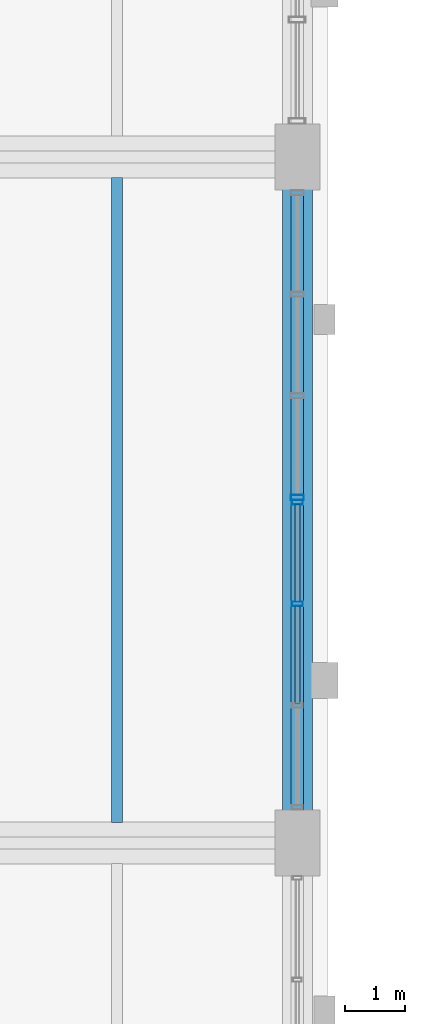
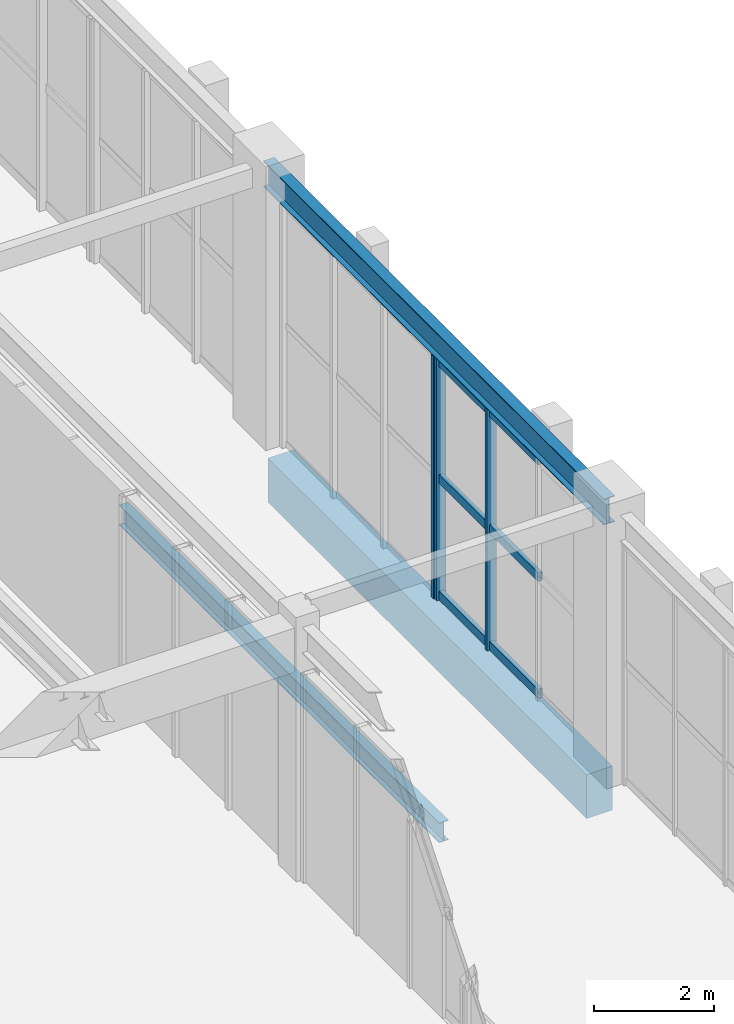
# One storey, part 36 of 113: 9 members, 3 beams, 2 elements without a shape of their own.
"""IFC4 building model written with IfcOpenShell, lengths in metres."""

from ifc_helpers import new_model, si_unit, direction, frame, origin, origin_2d, place, context, subcontext, project, spatial, rectangle, hollow_rectangle, i_section, extrude, material, layer, layer_set, material_profile, profile_set, type_object, element, aggregate, save


model = new_model("IFC4")

# Units and contexts
model_context = context("Model", 3, precision=1e-05, world=origin(), true_north=direction((0.0, 1.0)))
body_context = subcontext(model_context, "Body", "Model", "MODEL_VIEW")
ifc_project = project(units=[si_unit("LENGTHUNIT", "METRE"), si_unit("AREAUNIT", "SQUARE_METRE"), si_unit("VOLUMEUNIT", "CUBIC_METRE"), si_unit("PLANEANGLEUNIT", "RADIAN"), si_unit("MASSUNIT", "GRAM", prefix="KILO"), si_unit("POWERUNIT", "WATT"), si_unit("THERMODYNAMICTEMPERATUREUNIT", "KELVIN")], contexts=[model_context])

# Site, building, storey
site_placement = place(None, origin())
site = spatial("IfcSite", under=ifc_project, at=site_placement, CompositionType="ELEMENT")
building_placement = place(site_placement, origin())
building = spatial("IfcBuilding", under=site, at=building_placement, Name="Kelmbourne Parkland Aquatics Centre", CompositionType="ELEMENT")
storey_placement = place(building_placement, origin())
storey = spatial("IfcBuildingStorey", under=building, at=storey_placement, Name="L00", CompositionType="ELEMENT", Elevation=0.0)

# Beams
ifc_material_1 = material(Name="Concrete C40/50", Category="concrete")
ifc_material_profile_1 = material_profile(ifc_material_1, rectangle(XDim=0.5, YDim=0.89990234375, at=origin_2d()), Name="RC 500x900")
ifc_profile_set_1 = profile_set([ifc_material_profile_1], Name="Concrete C40/50")
beam_type_1 = type_object("IfcBeamType", Name="BM-G03", PredefinedType="BEAM", material=ifc_profile_set_1)
beam_1_placement = place(storey_placement, frame((46.0, 58.1298828125, -0.72998046875), z_axis=(0.0, 1.0, 0.0), x_axis=(-1.0, 0.0, 0.0)))
element("IfcBeam", 1, at=beam_1_placement, inside=storey, type_object=beam_type_1, Name="Primary girder 08-10 Grid G (L00)", PredefinedType="BEAM", context=body_context, shape_type="SweptSolid", body=[
    extrude(rectangle(XDim=0.5, YDim=0.89990234375, at=origin_2d()), origin(), (0.0, 0.0, 1.0), 10.6650390625),
])
ifc_material_2 = material(Name="Structural steel AS/NZS 3679.1 Grade 300", Category="steel")
ifc_material_profile_2 = material_profile(ifc_material_2, i_section(OverallWidth=0.177978515625, OverallDepth=0.406005859375, WebThickness=0.0078125, FlangeThickness=0.0126953125, at=origin_2d()), Name="410UB59.7")
ifc_profile_set_2 = profile_set([ifc_material_profile_2], Name="Structural steel AS/NZS 3679.1 Grade 300")
beam_type_2 = type_object("IfcBeamType", Name="BM-J01", PredefinedType="JOIST", material=ifc_profile_set_2)
beam_2_placement = place(storey_placement, frame((43.0, 58.14208984375, -0.48291015625), z_axis=(0.0, 1.0, 0.0), x_axis=(-1.0, 0.0, 0.0)))
element("IfcBeam", 2, at=beam_2_placement, inside=storey, type_object=beam_type_2, Name="Secondary floor joist F-G/08-10 #1 (L00)", PredefinedType="JOIST", context=body_context, shape_type="SweptSolid", body=[
    extrude(i_section(OverallWidth=0.177978515625, OverallDepth=0.406005859375, WebThickness=0.0078125, FlangeThickness=0.0126953125, at=origin_2d()), origin(), (0.0, 0.0, 1.0), 10.7158203125),
])
ifc_material_profile_3 = material_profile(ifc_material_2, i_section(OverallWidth=0.208984375, OverallDepth=0.532958984375, WebThickness=0.01025390625, FlangeThickness=0.015625, at=origin_2d()), Name="530UB92.4")
ifc_profile_set_3 = profile_set([ifc_material_profile_3], Name="Structural steel AS/NZS 3679.1 Grade 300")
beam_type_3 = type_object("IfcBeamType", Name="BM-SP02", PredefinedType="SPANDREL", material=ifc_profile_set_3)
beam_3_placement = place(storey_placement, frame((46.0, 57.800048828125, 5.2333984375), z_axis=(0.0, 1.0, 0.0), x_axis=(-1.0, 0.0, 0.0)))
element("IfcBeam", 3, at=beam_3_placement, inside=storey, type_object=beam_type_3, Name="Perimeter spandrel 08-10 Grid G (L01_COL)", PredefinedType="SPANDREL", context=body_context, shape_type="SweptSolid", body=[
    extrude(i_section(OverallWidth=0.208984375, OverallDepth=0.532958984375, WebThickness=0.01025390625, FlangeThickness=0.015625, at=origin_2d()), origin(), (0.0, 0.0, 1.0), 11.39990234375),
])

# Curtain wall, members
ifc_material_3 = material(Name="Thermally broken anodised aluminium framing", Category="aluminium")
ifc_layer_1 = layer(ifc_material_3, 0.179931640625)
ifc_layer_set_1 = layer_set([ifc_layer_1], Name="Thermally broken anodised aluminium framing")
curtain_wall_type_1 = type_object("IfcCurtainWallType", Name="CW-08", PredefinedType="NOTDEFINED", material=ifc_layer_set_1)
curtain_wall_1_placement = place(storey_placement, origin())
curtain_wall_1 = element("IfcCurtainWall", 4, at=curtain_wall_1_placement, inside=storey, type_object=curtain_wall_type_1, Name="Facade curtain wall CW-L00-176", PredefinedType="NOTDEFINED")
ifc_material_profile_4 = material_profile(ifc_material_3, hollow_rectangle(XDim=0.074951171875, YDim=0.179931640625, WallThickness=0.00439453125, at=origin_2d()), Name="CW-M 75x180")
ifc_profile_set_4 = profile_set([ifc_material_profile_4], Name="Thermally broken anodised aluminium framing")
member_type_1 = type_object("IfcMemberType", Name="MB-MUL-2", PredefinedType="MULLION", material=ifc_profile_set_4)
member_1_placement = place(storey_placement, frame((46.0, 61.771484375, 0.0), z_axis=(0.0, 0.0, 1.0), x_axis=(0.0, 1.0, 0.0)))
member_1 = element("IfcMember", 5, at=member_1_placement, type_object=member_type_1, Name="CW-L00-176 mullion 2", PredefinedType="MULLION", context=body_context, shape_type="SweptSolid", body=[
    extrude(hollow_rectangle(XDim=0.074951171875, YDim=0.179931640625, WallThickness=0.00439453125, at=origin_2d()), origin(), (0.0, 0.0, 1.0), 4.951904296875),
])
member_2_placement = place(storey_placement, frame((46.0, 63.46240234375, 0.0), z_axis=(0.0, 0.0, 1.0), x_axis=(0.0, 1.0, 0.0)))
member_2 = element("IfcMember", 6, at=member_2_placement, type_object=member_type_1, Name="CW-L00-176 mullion 3", PredefinedType="MULLION", context=body_context, shape_type="SweptSolid", body=[
    extrude(hollow_rectangle(XDim=0.074951171875, YDim=0.179931640625, WallThickness=0.00439453125, at=origin_2d()), origin(), (0.0, 0.0, 1.0), 4.951904296875),
])

# Curtain wall, member
ifc_layer_2 = layer(ifc_material_3, 0.179931640625)
ifc_layer_set_2 = layer_set([ifc_layer_2], Name="Thermally broken anodised aluminium framing")
curtain_wall_type_2 = type_object("IfcCurtainWallType", Name="CW-09", PredefinedType="NOTDEFINED", material=ifc_layer_set_2)
curtain_wall_2_placement = place(storey_placement, origin())
curtain_wall_2 = element("IfcCurtainWall", 7, at=curtain_wall_2_placement, inside=storey, type_object=curtain_wall_type_2, Name="Facade curtain wall CW-L00-177", PredefinedType="NOTDEFINED")
ifc_material_profile_5 = material_profile(ifc_material_3, hollow_rectangle(XDim=0.0849609375, YDim=0.219970703125, WallThickness=0.0048828125, at=origin_2d()), Name="CW-M 85x220")
ifc_profile_set_5 = profile_set([ifc_material_profile_5], Name="Thermally broken anodised aluminium framing")
member_type_2 = type_object("IfcMemberType", Name="MB-MUL-3", PredefinedType="MULLION", material=ifc_profile_set_5)
member_3_placement = place(storey_placement, frame((46.0, 63.54248046875, 0.0), z_axis=(0.0, 0.0, 1.0), x_axis=(0.0, 1.0, 0.0)))
member_3 = element("IfcMember", 8, at=member_3_placement, type_object=member_type_2, Name="CW-L00-177 mullion 0", PredefinedType="MULLION", context=body_context, shape_type="SweptSolid", body=[
    extrude(hollow_rectangle(XDim=0.0849609375, YDim=0.219970703125, WallThickness=0.0048828125, at=origin_2d()), origin(), (0.0, 0.0, 1.0), 4.951904296875),
])
aggregate(curtain_wall_2, [member_3])

# Member
ifc_material_profile_6 = material_profile(ifc_material_3, hollow_rectangle(XDim=0.0849609375, YDim=0.179931640625, WallThickness=0.00439453125, at=origin_2d()), Name="CW-T 85x180")
ifc_profile_set_6 = profile_set([ifc_material_profile_6], Name="Thermally broken anodised aluminium framing")
member_type_3 = type_object("IfcMemberType", Name="MB-TRN-3", PredefinedType="USERDEFINED", material=ifc_profile_set_6)
member_4_placement = place(storey_placement, frame((46.0, 60.114013671875, 0.093017578125), z_axis=(0.0, 1.0, 0.0), x_axis=(-1.0, 0.0, 0.0)))
member_4 = element("IfcMember", 9, at=member_4_placement, type_object=member_type_3, Name="CW-L00-176 transom 0-1", ObjectType="TRANSOM", PredefinedType="USERDEFINED", context=body_context, shape_type="SweptSolid", body=[
    extrude(hollow_rectangle(XDim=0.0849609375, YDim=0.179931640625, WallThickness=0.00439453125, at=origin_2d()), origin(), (0.0, 0.0, 1.0), 1.6240234375),
])

member_5_placement = place(storey_placement, frame((46.0, 61.804931640625, 0.093017578125), z_axis=(0.0, 1.0, 0.0), x_axis=(-1.0, 0.0, 0.0)))
member_5 = element("IfcMember", 10, at=member_5_placement, type_object=member_type_3, Name="CW-L00-176 transom 0-2", ObjectType="TRANSOM", PredefinedType="USERDEFINED", context=body_context, shape_type="SweptSolid", body=[
    extrude(hollow_rectangle(XDim=0.0849609375, YDim=0.179931640625, WallThickness=0.00439453125, at=origin_2d()), origin(), (0.0, 0.0, 1.0), 1.6240234375),
])

member_6_placement = place(storey_placement, frame((46.0, 60.114013671875, 2.47607421875), z_axis=(0.0, 1.0, 0.0), x_axis=(-1.0, 0.0, 0.0)))
member_6 = element("IfcMember", 11, at=member_6_placement, type_object=member_type_3, Name="CW-L00-176 transom 1-1", ObjectType="TRANSOM", PredefinedType="USERDEFINED", context=body_context, shape_type="SweptSolid", body=[
    extrude(hollow_rectangle(XDim=0.0849609375, YDim=0.179931640625, WallThickness=0.00439453125, at=origin_2d()), origin(), (0.0, 0.0, 1.0), 1.6240234375),
])

member_7_placement = place(storey_placement, frame((46.0, 61.804931640625, 2.47607421875), z_axis=(0.0, 1.0, 0.0), x_axis=(-1.0, 0.0, 0.0)))
member_7 = element("IfcMember", 12, at=member_7_placement, type_object=member_type_3, Name="CW-L00-176 transom 1-2", ObjectType="TRANSOM", PredefinedType="USERDEFINED", context=body_context, shape_type="SweptSolid", body=[
    extrude(hollow_rectangle(XDim=0.0849609375, YDim=0.179931640625, WallThickness=0.00439453125, at=origin_2d()), origin(), (0.0, 0.0, 1.0), 1.6240234375),
])

member_8_placement = place(storey_placement, frame((46.0, 60.114013671875, 4.85888671875), z_axis=(0.0, 1.0, 0.0), x_axis=(-1.0, 0.0, 0.0)))
member_8 = element("IfcMember", 13, at=member_8_placement, type_object=member_type_3, Name="CW-L00-176 transom 2-1", ObjectType="TRANSOM", PredefinedType="USERDEFINED", context=body_context, shape_type="SweptSolid", body=[
    extrude(hollow_rectangle(XDim=0.0849609375, YDim=0.179931640625, WallThickness=0.00439453125, at=origin_2d()), origin(), (0.0, 0.0, 1.0), 1.6240234375),
])

member_9_placement = place(storey_placement, frame((46.0, 61.804931640625, 4.85888671875), z_axis=(0.0, 1.0, 0.0), x_axis=(-1.0, 0.0, 0.0)))
member_9 = element("IfcMember", 14, at=member_9_placement, type_object=member_type_3, Name="CW-L00-176 transom 2-2", ObjectType="TRANSOM", PredefinedType="USERDEFINED", context=body_context, shape_type="SweptSolid", body=[
    extrude(hollow_rectangle(XDim=0.0849609375, YDim=0.179931640625, WallThickness=0.00439453125, at=origin_2d()), origin(), (0.0, 0.0, 1.0), 1.6240234375),
])

aggregate(curtain_wall_1, [member_1, member_2, member_4, member_5, member_6, member_7, member_8, member_9])

save(model, "model.ifc")
